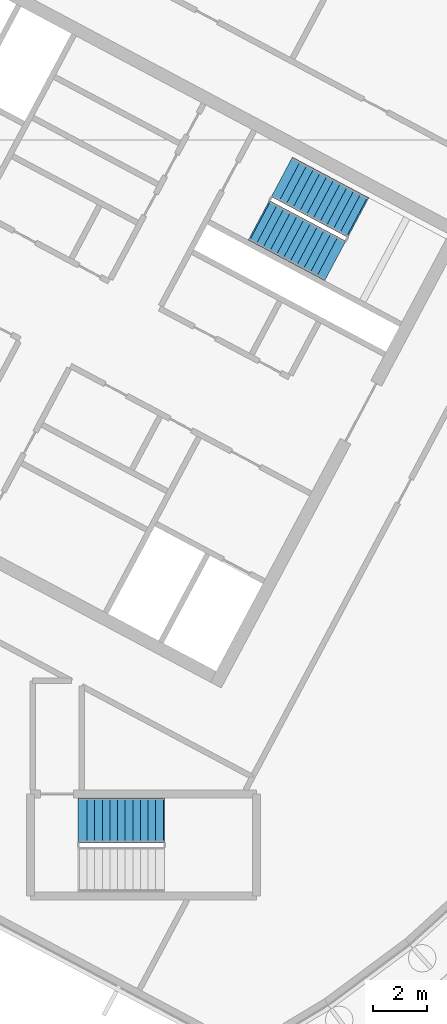
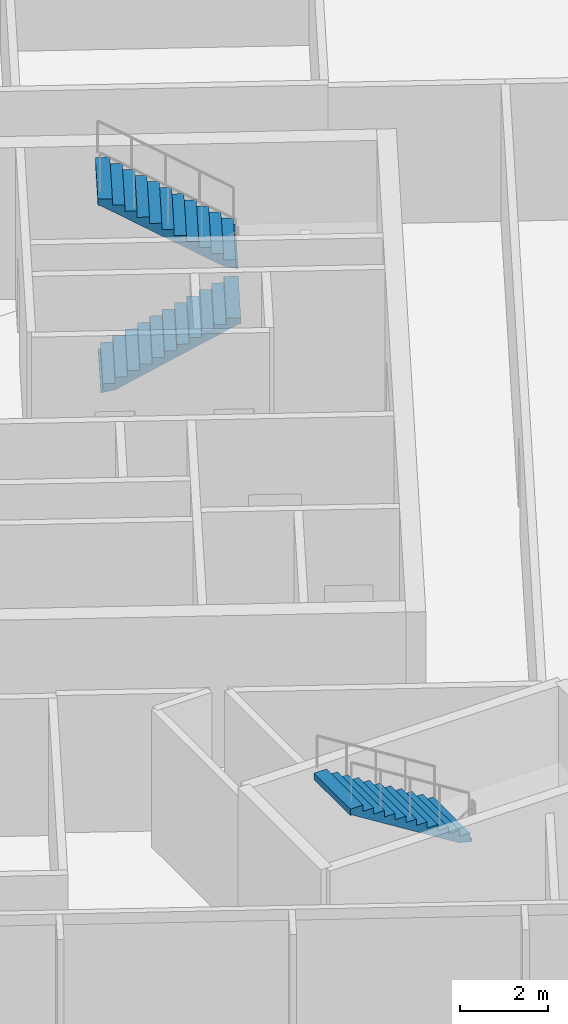
# One storey, part 9 of 16: 3 stair flights, 2 elements without a shape of their own.
"""IFC4 building model written with IfcOpenShell, lengths in metres."""

from ifc_helpers import new_model, si_unit, direction, frame, origin, place, context, subcontext, project, spatial, polyline, outline, extrude, material, type_object, element, aggregate, save


model = new_model("IFC4")

# Units and contexts
model_context = context("Model", 3, precision=1e-05, world=origin(), true_north=direction((0.0, 1.0)))
body_context = subcontext(model_context, "Body", "Model", "MODEL_VIEW")
ifc_project = project(units=[si_unit("LENGTHUNIT", "METRE"), si_unit("AREAUNIT", "SQUARE_METRE"), si_unit("VOLUMEUNIT", "CUBIC_METRE"), si_unit("PLANEANGLEUNIT", "RADIAN"), si_unit("MASSUNIT", "GRAM", prefix="KILO")], contexts=[model_context])

# Site, building, storey
site_placement = place(None, origin())
site = spatial("IfcSite", under=ifc_project, at=site_placement, CompositionType="ELEMENT")
building_placement = place(site_placement, origin())
building = spatial("IfcBuilding", under=site, at=building_placement, Name="Cormorant Relay Tower", CompositionType="ELEMENT")
storey_placement = place(building_placement, frame((0.0, 0.0, 345.0)))
storey = spatial("IfcBuildingStorey", under=building, at=storey_placement, Name="C5", CompositionType="ELEMENT", Elevation=345.0)

# Stair, stair flights
ifc_material_1 = material(Name="Concrete 40 MPa", Category="concrete")
stair_type = type_object("IfcStairType", Name="Exit stair 1500", PredefinedType="HALF_TURN_STAIR", material=ifc_material_1)
stair_1_placement = place(storey_placement, origin())
stair_1 = element("IfcStair", 1, at=stair_1_placement, inside=storey, type_object=stair_type, Name="C5 Stair", PredefinedType="HALF_TURN_STAIR")
ifc_material_2 = material(Name="Concrete 40 MPa", Category="concrete")
stair_flight_type = type_object("IfcStairFlightType", Name="Exit stair flight 1650", PredefinedType="STRAIGHT", material=ifc_material_2)
stair_flight_1_placement = place(storey_placement, frame((-21.114501953125, 18.33349609375, 0.0), z_axis=(0.0, 0.0, 1.0), x_axis=(0.882947592859, -0.469471562786, 0.0)))
stair_flight_1 = element("IfcStairFlight", 2, at=stair_flight_1_placement, type_object=stair_flight_type, Name="A1 flight 1", NumberOfRisers=12, NumberOfTreads=11, PredefinedType="STRAIGHT", RiserHeight=0.175, TreadLength=0.28, context=body_context, shape_type="SweptSolid", body=[
    extrude(outline(polyline([(-0.050048828125, -0.080078125), (-0.050048828125, 0.0), (0.0, 0.0), (0.0, 0.175048828125), (0.280029296875, 0.175048828125), (0.280029296875, 0.35009765625), (0.56005859375, 0.35009765625), (0.56005859375, 0.52490234375), (0.840087890625, 0.52490234375), (0.840087890625, 0.699951171875), (1.1201171875, 0.699951171875), (1.1201171875, 0.875), (1.39990234375, 0.875), (1.39990234375, 1.050048828125), (1.679931640625, 1.050048828125), (1.679931640625, 1.22509765625), (1.9599609375, 1.22509765625), (1.9599609375, 1.39990234375), (2.239990234375, 1.39990234375), (2.239990234375, 1.574951171875), (2.52001953125, 1.574951171875), (2.52001953125, 1.75), (2.800048828125, 1.75), (2.800048828125, 1.925048828125), (3.080078125, 1.925048828125), (3.130126953125, 1.925048828125), (3.130126953125, 1.748291015625), (3.080078125, 1.748291015625), (0.28271484375, 0.0), (-0.050048828125, -0.080078125)])), frame((0.0, 0.824951171875, 0.0), z_axis=(0.0, -1.0, 0.0), x_axis=(1.0, 0.0, 0.0)), (0.0, 0.0, 1.0), 1.64990234375),
])
stair_flight_2_placement = place(storey_placement, frame((-17.5498046875, 18.47705078125, 2.10009765625), z_axis=(0.0, 0.0, 1.0), x_axis=(-0.882947592859, 0.469471562786, 0.0)))
stair_flight_2 = element("IfcStairFlight", 3, at=stair_flight_2_placement, type_object=stair_flight_type, Name="A1 flight 2", NumberOfRisers=12, NumberOfTreads=11, PredefinedType="STRAIGHT", RiserHeight=0.175, TreadLength=0.28, context=body_context, shape_type="SweptSolid", body=[
    extrude(outline(polyline([(-0.050048828125, -0.080078125), (-0.050048828125, 0.0), (0.0, 0.0), (0.0, 0.175048828125), (0.280029296875, 0.175048828125), (0.280029296875, 0.35009765625), (0.56005859375, 0.35009765625), (0.56005859375, 0.52490234375), (0.840087890625, 0.52490234375), (0.840087890625, 0.699951171875), (1.1201171875, 0.699951171875), (1.1201171875, 0.875), (1.39990234375, 0.875), (1.39990234375, 1.050048828125), (1.679931640625, 1.050048828125), (1.679931640625, 1.22509765625), (1.9599609375, 1.22509765625), (1.9599609375, 1.39990234375), (2.239990234375, 1.39990234375), (2.239990234375, 1.574951171875), (2.52001953125, 1.574951171875), (2.52001953125, 1.75), (2.800048828125, 1.75), (2.800048828125, 1.925048828125), (3.080078125, 1.925048828125), (3.130126953125, 1.925048828125), (3.130126953125, 1.748291015625), (3.080078125, 1.748291015625), (0.28271484375, 0.0), (-0.050048828125, -0.080078125)])), frame((0.0, 0.824951171875, 0.0), z_axis=(0.0, -1.0, 0.0), x_axis=(1.0, 0.0, 0.0)), (0.0, 0.0, 1.0), 1.64990234375),
])
aggregate(stair_1, [stair_flight_1, stair_flight_2])

# Stair, stair flight
stair_2_placement = place(storey_placement, origin())
stair_2 = element("IfcStair", 4, at=stair_2_placement, inside=storey, type_object=stair_type, Name="C5 Stair", PredefinedType="HALF_TURN_STAIR")
stair_flight_3_placement = place(storey_placement, frame((-24.669921875, -3.699951171875, 2.10009765625), z_axis=(0.0, 0.0, 1.0), x_axis=(-1.0, 0.0, 0.0)))
stair_flight_3 = element("IfcStairFlight", 5, at=stair_flight_3_placement, type_object=stair_flight_type, Name="RC1 flight 2", NumberOfRisers=12, NumberOfTreads=11, PredefinedType="STRAIGHT", RiserHeight=0.175, TreadLength=0.28, context=body_context, shape_type="SweptSolid", body=[
    extrude(outline(polyline([(-0.050048828125, -0.080078125), (-0.050048828125, 0.0), (0.0, 0.0), (0.0, 0.175048828125), (0.280029296875, 0.175048828125), (0.280029296875, 0.35009765625), (0.56005859375, 0.35009765625), (0.56005859375, 0.52490234375), (0.840087890625, 0.52490234375), (0.840087890625, 0.699951171875), (1.1201171875, 0.699951171875), (1.1201171875, 0.875), (1.39990234375, 0.875), (1.39990234375, 1.050048828125), (1.679931640625, 1.050048828125), (1.679931640625, 1.22509765625), (1.9599609375, 1.22509765625), (1.9599609375, 1.39990234375), (2.239990234375, 1.39990234375), (2.239990234375, 1.574951171875), (2.52001953125, 1.574951171875), (2.52001953125, 1.75), (2.800048828125, 1.75), (2.800048828125, 1.925048828125), (3.080078125, 1.925048828125), (3.130126953125, 1.925048828125), (3.130126953125, 1.748291015625), (3.080078125, 1.748291015625), (0.28271484375, 0.0), (-0.050048828125, -0.080078125)])), frame((0.0, 0.824951171875, 0.0), z_axis=(0.0, -1.0, 0.0), x_axis=(1.0, 0.0, 0.0)), (0.0, 0.0, 1.0), 1.64990234375),
])
aggregate(stair_2, [stair_flight_3])

save(model, "model.ifc")
